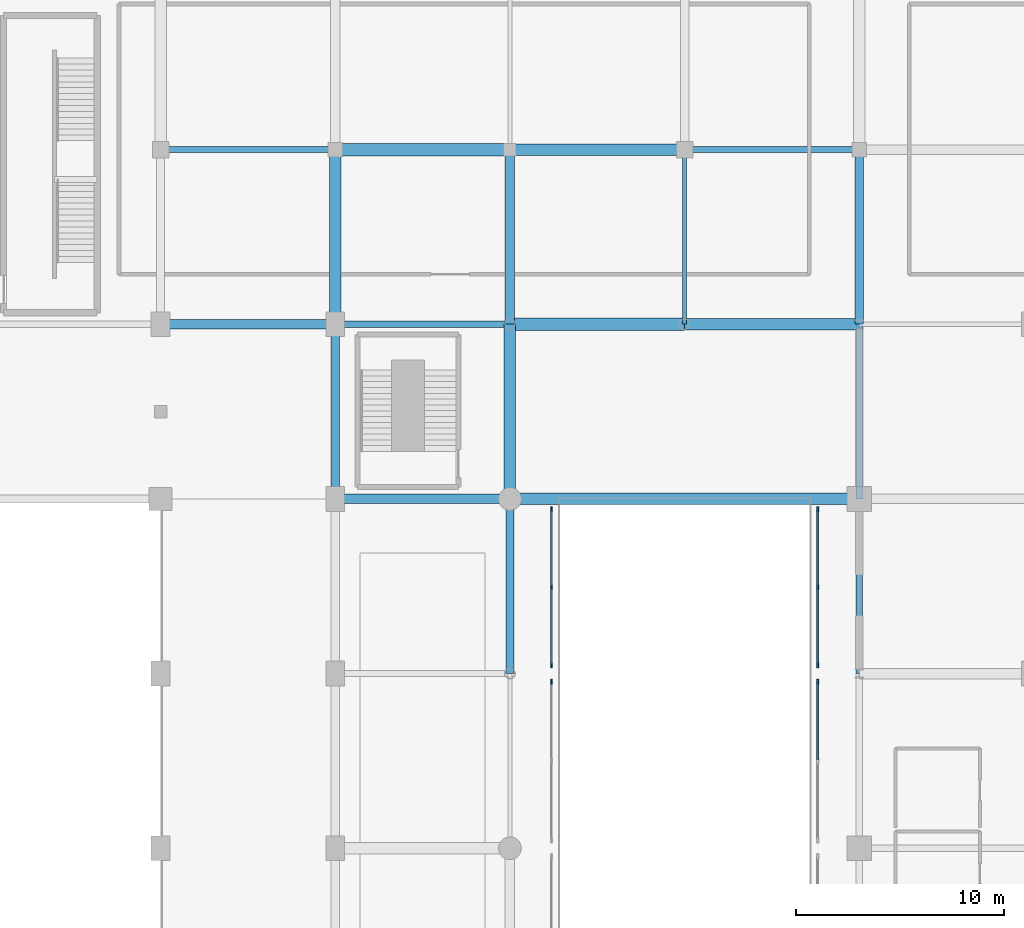
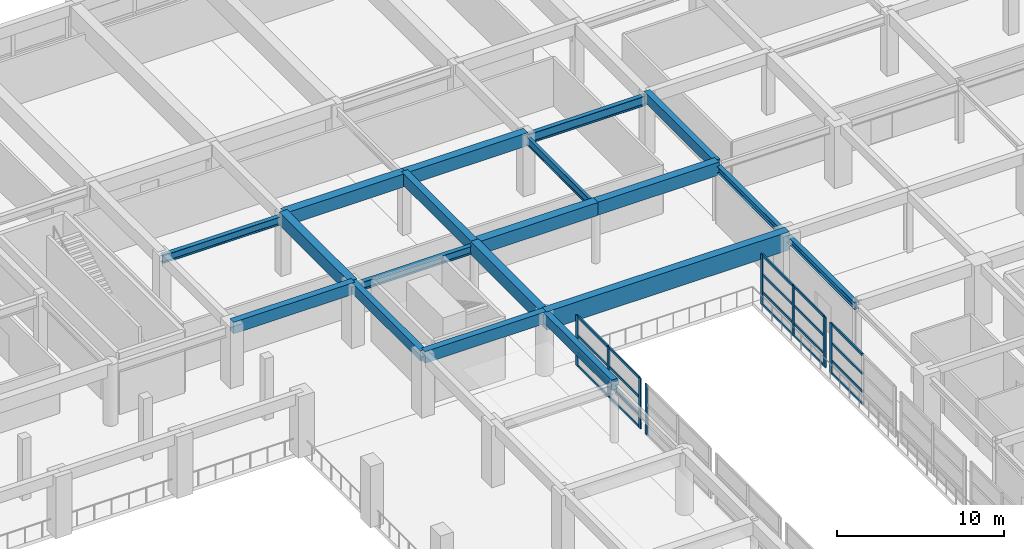
# One storey, part 28 of 65: 28 members, 19 beams, 4 elements without a shape of their own.
"""IFC4 building model written with IfcOpenShell, lengths in metres."""

import ifcopenshell
import ifcopenshell.guid

model = None  # the IFC model being written
_history = None  # IfcOwnerHistory: only IFC2X3 demands one
_inside = {}  # id of a spatial element -> (the spatial element, [elements in it])
_under = {}  # id of a project, library or spatial element -> (it, [spatial elements below it])
_declared = {}  # id of a project -> (the project, [libraries it declares])
_typed = {}  # id of a type object -> (the type object, [elements of that type])
_made_of = {}  # id of a material, layer set ... -> (it, [elements and type objects made of it])


def new_model(schema):
    """Start an empty IFC model of exactly this schema.

    Asked for "IFC4X3", IfcOpenShell would pick the latest addendum, in which some entities
    have other attributes; the version numbers below select the first issue.
    IFC2X3 requires an IfcOwnerHistory on every rooted entity: one is made here for all.
    """
    global model, _history
    if schema == "IFC4X3":
        model = ifcopenshell.file(schema_version=(4, 3, 0, 0))
    else:
        model = ifcopenshell.file(schema=schema)
    _inside.clear()
    _under.clear()
    _declared.clear()
    _typed.clear()
    _made_of.clear()
    _history = None
    if model.schema == "IFC2X3":
        org = make("IfcOrganization", Name="unknown")
        user = make(
            "IfcPersonAndOrganization",
            ThePerson=make("IfcPerson", FamilyName="unknown"),
            TheOrganization=org,
        )
        app = make(
            "IfcApplication",
            ApplicationDeveloper=org,
            Version="unknown",
            ApplicationFullName="unknown",
            ApplicationIdentifier="unknown",
        )
        _history = make(
            "IfcOwnerHistory",
            OwningUser=user,
            OwningApplication=app,
            ChangeAction="ADDED",
            CreationDate=0,
        )
    return model


def make(cls, **values):
    """One entity of the class cls with the attributes given. An attribute that is None is left unset."""
    return model.create_entity(
        cls, **{name: value for name, value in values.items() if value is not None}
    )


def rooted(cls, **values):
    """An entity with a GlobalId (a new one), such as an element, a storey or a relation."""
    return make(cls, GlobalId=ifcopenshell.guid.new(), OwnerHistory=_history, **values)


def si_unit(unit_type, name, prefix=None):
    """IfcSIUnit, for example si_unit("LENGTHUNIT", "METRE", prefix="MILLI")."""
    return make("IfcSIUnit", UnitType=unit_type, Prefix=prefix, Name=name)


def assignment(units):
    """IfcUnitAssignment: the units of a project."""
    return None if units is None else make("IfcUnitAssignment", Units=units)


def point(xyz):
    """IfcCartesianPoint."""
    return None if xyz is None else make("IfcCartesianPoint", Coordinates=xyz)


def direction(xyz):
    """IfcDirection."""
    return None if xyz is None else make("IfcDirection", DirectionRatios=xyz)


def frame(location, z_axis=None, x_axis=None):
    """IfcAxis2Placement3D, a coordinate frame: its origin and axes. An axis left out is left unset."""
    return make(
        "IfcAxis2Placement3D",
        Location=point(location),
        Axis=direction(z_axis),
        RefDirection=direction(x_axis),
    )


def frame_2d(location, x_axis=None):
    """IfcAxis2Placement2D, a coordinate frame in the plane: its origin and x axis."""
    return make(
        "IfcAxis2Placement2D", Location=point(location), RefDirection=direction(x_axis)
    )


def origin():
    """The frame at (0, 0, 0) with its axes left unset."""
    return frame((0.0, 0.0, 0.0))


def origin_2d():
    """The frame at (0, 0) in the plane with its x axis left unset."""
    return frame_2d((0.0, 0.0))


def place(relative_to, where):
    """IfcLocalPlacement: puts the frame where relative to a parent placement (None: the world)."""
    return make(
        "IfcLocalPlacement", PlacementRelTo=relative_to, RelativePlacement=where
    )


def context(
    kind, dimensions, precision=None, world=None, true_north=None, identifier=None
):
    """IfcGeometricRepresentationContext, for example the 3D "Model" context."""
    return make(
        "IfcGeometricRepresentationContext",
        ContextIdentifier=identifier,
        ContextType=kind,
        CoordinateSpaceDimension=dimensions,
        Precision=precision,
        WorldCoordinateSystem=world,
        TrueNorth=true_north,
    )


def subcontext(parent, identifier, kind, view, scale=None):
    """IfcGeometricRepresentationSubContext, for example "Body" below "Model"."""
    return make(
        "IfcGeometricRepresentationSubContext",
        ContextIdentifier=identifier,
        ContextType=kind,
        ParentContext=parent,
        TargetScale=scale,
        TargetView=view,
    )


def project(units=None, contexts=None):
    """IfcProject with its units and contexts."""
    return rooted(
        "IfcProject",
        Name="project",
        RepresentationContexts=contexts,
        UnitsInContext=assignment(units),
    )


def spatial(cls, under=None, at=None, **own):
    """A site, building, storey or space (cls), placed at a placement, below another one or the project."""
    s = rooted(cls, ObjectPlacement=at, **own)
    if under is not None:
        _under.setdefault(under.id(), (under, []))[1].append(s)
    return s


def profile(cls, at=None, kind="AREA", **sizes):
    """A parametric profile (cls). Its sizes go by their IFC names, for example OverallWidth=200.0."""
    return make(cls, ProfileType=kind, Position=at, **sizes)


def rectangle(**sizes):
    """IfcRectangleProfileDef."""
    return profile("IfcRectangleProfileDef", **sizes)


def i_section(**sizes):
    """IfcIShapeProfileDef."""
    return profile("IfcIShapeProfileDef", **sizes)


def extrude(swept, where, along, depth):
    """IfcExtrudedAreaSolid: the profile swept, set in the frame where, extruded along a direction by depth."""
    return make(
        "IfcExtrudedAreaSolid",
        SweptArea=swept,
        Position=where,
        ExtrudedDirection=direction(along),
        Depth=depth,
    )


def shape(context_of_items, identifier, shape_type, items):
    """IfcShapeRepresentation: the items that make up one representation, for example the "Body"."""
    return make(
        "IfcShapeRepresentation",
        ContextOfItems=context_of_items,
        RepresentationIdentifier=identifier,
        RepresentationType=shape_type,
        Items=items,
    )


def material(Name=None, Category=None):
    """IfcMaterial."""
    return make("IfcMaterial", Name=Name, Category=Category)


def material_profile(
    of_material, cross_section, Name=None, Category=None, Priority=None
):
    """IfcMaterialProfile: a cross section and its material."""
    return make(
        "IfcMaterialProfile",
        Name=Name,
        Material=of_material,
        Profile=cross_section,
        Priority=Priority,
        Category=Category,
    )


def profile_set(profiles, Name=None, composite=None):
    """IfcMaterialProfileSet."""
    return make(
        "IfcMaterialProfileSet",
        Name=Name,
        MaterialProfiles=profiles,
        CompositeProfile=composite,
    )


def made_of(thing, what):
    """Note that an element or type object is made of a material, layer set ...; save() writes the relation."""
    if what is not None:
        _made_of.setdefault(what.id(), (what, []))[1].append(thing)
    return thing


def type_object(cls, material=None, **own):
    """A type object (cls), such as IfcWallType, which elements share."""
    return made_of(rooted(cls, **own), material)


def element(
    cls,
    number,
    at=None,
    inside=None,
    cuts=None,
    type_object=None,
    material=None,
    context=None,
    identifier="Body",
    shape_type=None,
    held_by="IfcProductDefinitionShape",
    body=None,
    shapes=None,
    **own,
):
    """One element of the class cls, such as IfcWall. Its Tag is "e" and its number.

    at: its placement. inside: the storey or other place that contains it. cuts: it is an
    opening in that element (IfcRelVoidsElement). A single representation is given by context,
    identifier, shape_type and body (its items); several are given by shapes. held_by: the class
    of the entity that holds the representations. save() writes the other relations.
    """
    e = rooted(cls, Tag="e%d" % number, ObjectPlacement=at, **own)
    if body is not None:
        shapes = [shape(context, identifier, shape_type, body)]
    if shapes is not None:
        e.Representation = make(held_by, Representations=shapes)
    if inside is not None:
        _inside.setdefault(inside.id(), (inside, []))[1].append(e)
    if cuts is not None:
        rooted(
            "IfcRelVoidsElement", RelatingBuildingElement=cuts, RelatedOpeningElement=e
        )
    if type_object is not None:
        _typed.setdefault(type_object.id(), (type_object, []))[1].append(e)
    return made_of(e, material)


def aggregate(whole, parts):
    """IfcRelAggregates: a whole, such as a stair, and the parts it consists of."""
    return rooted("IfcRelAggregates", RelatingObject=whole, RelatedObjects=parts)


def save(model, path):
    """Write the relations noted so far, then the file.

    IfcRelAggregates (storeys below a building ...), IfcRelContainedInSpatialStructure (elements
    in a storey), IfcRelDefinesByType, IfcRelAssociatesMaterial and IfcRelDeclares: one each for
    every whole, place, type object, material and project.
    """
    for whole, parts in _under.values():
        aggregate(whole, parts)
    for where, things in _inside.values():
        rooted(
            "IfcRelContainedInSpatialStructure",
            RelatedElements=things,
            RelatingStructure=where,
        )
    for kind, things in _typed.values():
        rooted("IfcRelDefinesByType", RelatedObjects=things, RelatingType=kind)
    for what, things in _made_of.values():
        rooted("IfcRelAssociatesMaterial", RelatedObjects=things, RelatingMaterial=what)
    for by, libraries in _declared.values():
        rooted("IfcRelDeclares", RelatingContext=by, RelatedDefinitions=libraries)
    model.write(path)


model = new_model("IFC4")

# Units and contexts
model_context = context("Model", 3, precision=1e-05, world=origin(), true_north=direction((0.0, 1.0)))
body_context = subcontext(model_context, "Body", "Model", "MODEL_VIEW")
ifc_project = project(units=[si_unit("LENGTHUNIT", "METRE"), si_unit("AREAUNIT", "SQUARE_METRE"), si_unit("VOLUMEUNIT", "CUBIC_METRE"), si_unit("PLANEANGLEUNIT", "RADIAN"), si_unit("MASSUNIT", "GRAM", prefix="KILO")], contexts=[model_context])

# Site, building, storey
site_placement = place(None, origin())
site = spatial("IfcSite", under=ifc_project, at=site_placement, CompositionType="ELEMENT")
building_placement = place(site_placement, origin())
building = spatial("IfcBuilding", under=site, at=building_placement, Name="Xuanlan Plaza Opera House", CompositionType="ELEMENT")
storey_placement = place(building_placement, frame((0.0, 0.0, 5.39990234375)))
storey = spatial("IfcBuildingStorey", under=building, at=storey_placement, Name="L01", CompositionType="ELEMENT", Elevation=5.39990234375)

# Curtain wall, member
ifc_material_1 = material(Name="Anodised Aluminium 6063-T6 and Low-E Glass", Category="aluminium")
curtain_wall_type = type_object("IfcCurtainWallType", Name="ENV-CW-CW-06", PredefinedType="USERDEFINED", material=ifc_material_1)
curtain_wall_1_placement = place(storey_placement, origin())
curtain_wall_1 = element("IfcCurtainWall", 1, at=curtain_wall_1_placement, inside=storey, type_object=curtain_wall_type, Name="Acoustic Glazed Wall ATR-L01-13", ObjectType="ACOUSTIC GLAZED WALL", PredefinedType="USERDEFINED")
ifc_material_2 = material(Name="Anodised Aluminium 6063-T6", Category="aluminium")
ifc_material_profile_1 = material_profile(ifc_material_2, rectangle(XDim=0.090087890625, YDim=0.25, at=origin_2d()), Name="ALU-M 90x250")
ifc_profile_set_1 = profile_set([ifc_material_profile_1], Name="Anodised Aluminium 6063-T6")
member_type_1 = type_object("IfcMemberType", Name="ENV-CWM-05", PredefinedType="MULLION", material=ifc_profile_set_1)
member_1_placement = place(storey_placement, frame((111.199951171875, 66.804931640625, 0.0), z_axis=(0.0, 0.0, 1.0), x_axis=(-1.0, 0.0, 0.0)))
member_1 = element("IfcMember", 2, at=member_1_placement, type_object=member_type_1, Name="CW-06 mullion 3", PredefinedType="MULLION", context=body_context, shape_type="SweptSolid", body=[
    extrude(rectangle(XDim=0.090087890625, YDim=0.25, at=origin_2d()), origin(), (0.0, 0.0, 1.0), 3.68017578125),
])
aggregate(curtain_wall_1, [member_1])

# Curtain wall, members
curtain_wall_2_placement = place(storey_placement, origin())
curtain_wall_2 = element("IfcCurtainWall", 3, at=curtain_wall_2_placement, inside=storey, type_object=curtain_wall_type, Name="Acoustic Glazed Wall ATR-L01-14", ObjectType="ACOUSTIC GLAZED WALL", PredefinedType="USERDEFINED")
member_2_placement = place(storey_placement, frame((111.199951171875, 67.594970703125, 0.0), z_axis=(0.0, 0.0, 1.0), x_axis=(-1.0, 0.0, 0.0)))
member_2 = element("IfcMember", 4, at=member_2_placement, type_object=member_type_1, Name="CW-06 mullion 1", PredefinedType="MULLION", context=body_context, shape_type="SweptSolid", body=[
    extrude(rectangle(XDim=0.090087890625, YDim=0.25, at=origin_2d()), origin(), (0.0, 0.0, 1.0), 3.68017578125),
])
member_3_placement = place(storey_placement, frame((111.199951171875, 71.35009765625, 0.0), z_axis=(0.0, 0.0, 1.0), x_axis=(-1.0, 0.0, 0.0)))
member_3 = element("IfcMember", 5, at=member_3_placement, type_object=member_type_1, Name="CW-06 mullion 2", PredefinedType="MULLION", context=body_context, shape_type="SweptSolid", body=[
    extrude(rectangle(XDim=0.090087890625, YDim=0.25, at=origin_2d()), origin(), (0.0, 0.0, 1.0), 3.68017578125),
])
member_4_placement = place(storey_placement, frame((111.199951171875, 75.10498046875, 0.0), z_axis=(0.0, 0.0, 1.0), x_axis=(-1.0, 0.0, 0.0)))
member_4 = element("IfcMember", 6, at=member_4_placement, type_object=member_type_1, Name="CW-06 mullion 3", PredefinedType="MULLION", context=body_context, shape_type="SweptSolid", body=[
    extrude(rectangle(XDim=0.090087890625, YDim=0.25, at=origin_2d()), origin(), (0.0, 0.0, 1.0), 3.68017578125),
])

# Curtain wall, member
curtain_wall_3_placement = place(storey_placement, origin())
curtain_wall_3 = element("IfcCurtainWall", 7, at=curtain_wall_3_placement, inside=storey, type_object=curtain_wall_type, Name="Acoustic Glazed Wall ATR-L01-23", ObjectType="ACOUSTIC GLAZED WALL", PredefinedType="USERDEFINED")
member_5_placement = place(storey_placement, frame((124.0, 66.804931640625, 0.0), z_axis=(0.0, 0.0, 1.0), x_axis=(-1.0, 0.0, 0.0)))
member_5 = element("IfcMember", 8, at=member_5_placement, type_object=member_type_1, Name="CW-06 mullion 3", PredefinedType="MULLION", context=body_context, shape_type="SweptSolid", body=[
    extrude(rectangle(XDim=0.090087890625, YDim=0.25, at=origin_2d()), origin(), (0.0, 0.0, 1.0), 3.68017578125),
])

# Curtain wall, members
curtain_wall_4_placement = place(storey_placement, origin())
curtain_wall_4 = element("IfcCurtainWall", 9, at=curtain_wall_4_placement, inside=storey, type_object=curtain_wall_type, Name="Acoustic Glazed Wall ATR-L01-24", ObjectType="ACOUSTIC GLAZED WALL", PredefinedType="USERDEFINED")
member_6_placement = place(storey_placement, frame((124.0, 67.594970703125, 0.0), z_axis=(0.0, 0.0, 1.0), x_axis=(-1.0, 0.0, 0.0)))
member_6 = element("IfcMember", 10, at=member_6_placement, type_object=member_type_1, Name="CW-06 mullion 1", PredefinedType="MULLION", context=body_context, shape_type="SweptSolid", body=[
    extrude(rectangle(XDim=0.090087890625, YDim=0.25, at=origin_2d()), origin(), (0.0, 0.0, 1.0), 3.68017578125),
])
member_7_placement = place(storey_placement, frame((124.0, 71.35009765625, 0.0), z_axis=(0.0, 0.0, 1.0), x_axis=(-1.0, 0.0, 0.0)))
member_7 = element("IfcMember", 11, at=member_7_placement, type_object=member_type_1, Name="CW-06 mullion 2", PredefinedType="MULLION", context=body_context, shape_type="SweptSolid", body=[
    extrude(rectangle(XDim=0.090087890625, YDim=0.25, at=origin_2d()), origin(), (0.0, 0.0, 1.0), 3.68017578125),
])
member_8_placement = place(storey_placement, frame((124.0, 75.10498046875, 0.0), z_axis=(0.0, 0.0, 1.0), x_axis=(-1.0, 0.0, 0.0)))
member_8 = element("IfcMember", 12, at=member_8_placement, type_object=member_type_1, Name="CW-06 mullion 3", PredefinedType="MULLION", context=body_context, shape_type="SweptSolid", body=[
    extrude(rectangle(XDim=0.090087890625, YDim=0.25, at=origin_2d()), origin(), (0.0, 0.0, 1.0), 3.68017578125),
])

# Member
ifc_material_profile_2 = material_profile(ifc_material_2, rectangle(XDim=0.090087890625, YDim=0.179931640625, at=origin_2d()), Name="ALU-T 90x180")
ifc_profile_set_2 = profile_set([ifc_material_profile_2], Name="Anodised Aluminium 6063-T6")
member_type_2 = type_object("IfcMemberType", Name="ENV-CWT-05", PredefinedType="USERDEFINED", material=ifc_profile_set_2)
member_9_placement = place(storey_placement, frame((111.199951171875, 67.639892578125, 0.045166015625), z_axis=(0.0, 1.0, 0.0), x_axis=(-1.0, 0.0, 0.0)))
member_9 = element("IfcMember", 13, at=member_9_placement, type_object=member_type_2, Name="CW-06 transom 1.1", ObjectType="TRANSOM", PredefinedType="USERDEFINED", context=body_context, shape_type="SweptSolid", body=[
    extrude(rectangle(XDim=0.090087890625, YDim=0.179931640625, at=origin_2d()), origin(), (0.0, 0.0, 1.0), 3.6650390625),
])

member_10_placement = place(storey_placement, frame((111.199951171875, 67.639892578125, 0.9501953125), z_axis=(0.0, 1.0, 0.0), x_axis=(-1.0, 0.0, 0.0)))
member_10 = element("IfcMember", 14, at=member_10_placement, type_object=member_type_2, Name="CW-06 transom 1.2", ObjectType="TRANSOM", PredefinedType="USERDEFINED", context=body_context, shape_type="SweptSolid", body=[
    extrude(rectangle(XDim=0.090087890625, YDim=0.179931640625, at=origin_2d()), origin(), (0.0, 0.0, 1.0), 3.6650390625),
])

member_11_placement = place(storey_placement, frame((111.199951171875, 67.639892578125, 2.25), z_axis=(0.0, 1.0, 0.0), x_axis=(-1.0, 0.0, 0.0)))
member_11 = element("IfcMember", 15, at=member_11_placement, type_object=member_type_2, Name="CW-06 transom 1.3", ObjectType="TRANSOM", PredefinedType="USERDEFINED", context=body_context, shape_type="SweptSolid", body=[
    extrude(rectangle(XDim=0.090087890625, YDim=0.179931640625, at=origin_2d()), origin(), (0.0, 0.0, 1.0), 3.6650390625),
])

member_12_placement = place(storey_placement, frame((111.199951171875, 67.639892578125, 3.635009765625), z_axis=(0.0, 1.0, 0.0), x_axis=(-1.0, 0.0, 0.0)))
member_12 = element("IfcMember", 16, at=member_12_placement, type_object=member_type_2, Name="CW-06 transom 1.4", ObjectType="TRANSOM", PredefinedType="USERDEFINED", context=body_context, shape_type="SweptSolid", body=[
    extrude(rectangle(XDim=0.090087890625, YDim=0.179931640625, at=origin_2d()), origin(), (0.0, 0.0, 1.0), 3.6650390625),
])

member_13_placement = place(storey_placement, frame((111.199951171875, 71.39501953125, 0.045166015625), z_axis=(0.0, 1.0, 0.0), x_axis=(-1.0, 0.0, 0.0)))
member_13 = element("IfcMember", 17, at=member_13_placement, type_object=member_type_2, Name="CW-06 transom 2.1", ObjectType="TRANSOM", PredefinedType="USERDEFINED", context=body_context, shape_type="SweptSolid", body=[
    extrude(rectangle(XDim=0.090087890625, YDim=0.179931640625, at=origin_2d()), origin(), (0.0, 0.0, 1.0), 3.6650390625),
])

member_14_placement = place(storey_placement, frame((111.199951171875, 71.39501953125, 0.9501953125), z_axis=(0.0, 1.0, 0.0), x_axis=(-1.0, 0.0, 0.0)))
member_14 = element("IfcMember", 18, at=member_14_placement, type_object=member_type_2, Name="CW-06 transom 2.2", ObjectType="TRANSOM", PredefinedType="USERDEFINED", context=body_context, shape_type="SweptSolid", body=[
    extrude(rectangle(XDim=0.090087890625, YDim=0.179931640625, at=origin_2d()), origin(), (0.0, 0.0, 1.0), 3.6650390625),
])

member_15_placement = place(storey_placement, frame((111.199951171875, 71.39501953125, 2.25), z_axis=(0.0, 1.0, 0.0), x_axis=(-1.0, 0.0, 0.0)))
member_15 = element("IfcMember", 19, at=member_15_placement, type_object=member_type_2, Name="CW-06 transom 2.3", ObjectType="TRANSOM", PredefinedType="USERDEFINED", context=body_context, shape_type="SweptSolid", body=[
    extrude(rectangle(XDim=0.090087890625, YDim=0.179931640625, at=origin_2d()), origin(), (0.0, 0.0, 1.0), 3.6650390625),
])

member_16_placement = place(storey_placement, frame((111.199951171875, 71.39501953125, 3.635009765625), z_axis=(0.0, 1.0, 0.0), x_axis=(-1.0, 0.0, 0.0)))
member_16 = element("IfcMember", 20, at=member_16_placement, type_object=member_type_2, Name="CW-06 transom 2.4", ObjectType="TRANSOM", PredefinedType="USERDEFINED", context=body_context, shape_type="SweptSolid", body=[
    extrude(rectangle(XDim=0.090087890625, YDim=0.179931640625, at=origin_2d()), origin(), (0.0, 0.0, 1.0), 3.6650390625),
])

aggregate(curtain_wall_2, [member_2, member_3, member_4, member_9, member_10, member_11, member_12, member_13, member_14, member_15, member_16])

member_17_placement = place(storey_placement, frame((124.0, 63.044921875, 0.045166015625), z_axis=(0.0, 1.0, 0.0), x_axis=(-1.0, 0.0, 0.0)))
member_17 = element("IfcMember", 21, at=member_17_placement, type_object=member_type_2, Name="CW-06 transom 2.1", ObjectType="TRANSOM", PredefinedType="USERDEFINED", context=body_context, shape_type="SweptSolid", body=[
    extrude(rectangle(XDim=0.090087890625, YDim=0.179931640625, at=origin_2d()), origin(), (0.0, 0.0, 1.0), 3.715087890625),
])

member_18_placement = place(storey_placement, frame((124.0, 63.044921875, 0.9501953125), z_axis=(0.0, 1.0, 0.0), x_axis=(-1.0, 0.0, 0.0)))
member_18 = element("IfcMember", 22, at=member_18_placement, type_object=member_type_2, Name="CW-06 transom 2.2", ObjectType="TRANSOM", PredefinedType="USERDEFINED", context=body_context, shape_type="SweptSolid", body=[
    extrude(rectangle(XDim=0.090087890625, YDim=0.179931640625, at=origin_2d()), origin(), (0.0, 0.0, 1.0), 3.715087890625),
])

member_19_placement = place(storey_placement, frame((124.0, 63.044921875, 2.25), z_axis=(0.0, 1.0, 0.0), x_axis=(-1.0, 0.0, 0.0)))
member_19 = element("IfcMember", 23, at=member_19_placement, type_object=member_type_2, Name="CW-06 transom 2.3", ObjectType="TRANSOM", PredefinedType="USERDEFINED", context=body_context, shape_type="SweptSolid", body=[
    extrude(rectangle(XDim=0.090087890625, YDim=0.179931640625, at=origin_2d()), origin(), (0.0, 0.0, 1.0), 3.715087890625),
])

member_20_placement = place(storey_placement, frame((124.0, 63.044921875, 3.635009765625), z_axis=(0.0, 1.0, 0.0), x_axis=(-1.0, 0.0, 0.0)))
member_20 = element("IfcMember", 24, at=member_20_placement, type_object=member_type_2, Name="CW-06 transom 2.4", ObjectType="TRANSOM", PredefinedType="USERDEFINED", context=body_context, shape_type="SweptSolid", body=[
    extrude(rectangle(XDim=0.090087890625, YDim=0.179931640625, at=origin_2d()), origin(), (0.0, 0.0, 1.0), 3.715087890625),
])

aggregate(curtain_wall_3, [member_5, member_17, member_18, member_19, member_20])

member_21_placement = place(storey_placement, frame((124.0, 67.639892578125, 0.045166015625), z_axis=(0.0, 1.0, 0.0), x_axis=(-1.0, 0.0, 0.0)))
member_21 = element("IfcMember", 25, at=member_21_placement, type_object=member_type_2, Name="CW-06 transom 1.1", ObjectType="TRANSOM", PredefinedType="USERDEFINED", context=body_context, shape_type="SweptSolid", body=[
    extrude(rectangle(XDim=0.090087890625, YDim=0.179931640625, at=origin_2d()), origin(), (0.0, 0.0, 1.0), 3.6650390625),
])

member_22_placement = place(storey_placement, frame((124.0, 67.639892578125, 0.9501953125), z_axis=(0.0, 1.0, 0.0), x_axis=(-1.0, 0.0, 0.0)))
member_22 = element("IfcMember", 26, at=member_22_placement, type_object=member_type_2, Name="CW-06 transom 1.2", ObjectType="TRANSOM", PredefinedType="USERDEFINED", context=body_context, shape_type="SweptSolid", body=[
    extrude(rectangle(XDim=0.090087890625, YDim=0.179931640625, at=origin_2d()), origin(), (0.0, 0.0, 1.0), 3.6650390625),
])

member_23_placement = place(storey_placement, frame((124.0, 67.639892578125, 2.25), z_axis=(0.0, 1.0, 0.0), x_axis=(-1.0, 0.0, 0.0)))
member_23 = element("IfcMember", 27, at=member_23_placement, type_object=member_type_2, Name="CW-06 transom 1.3", ObjectType="TRANSOM", PredefinedType="USERDEFINED", context=body_context, shape_type="SweptSolid", body=[
    extrude(rectangle(XDim=0.090087890625, YDim=0.179931640625, at=origin_2d()), origin(), (0.0, 0.0, 1.0), 3.6650390625),
])

member_24_placement = place(storey_placement, frame((124.0, 67.639892578125, 3.635009765625), z_axis=(0.0, 1.0, 0.0), x_axis=(-1.0, 0.0, 0.0)))
member_24 = element("IfcMember", 28, at=member_24_placement, type_object=member_type_2, Name="CW-06 transom 1.4", ObjectType="TRANSOM", PredefinedType="USERDEFINED", context=body_context, shape_type="SweptSolid", body=[
    extrude(rectangle(XDim=0.090087890625, YDim=0.179931640625, at=origin_2d()), origin(), (0.0, 0.0, 1.0), 3.6650390625),
])

member_25_placement = place(storey_placement, frame((124.0, 71.39501953125, 0.045166015625), z_axis=(0.0, 1.0, 0.0), x_axis=(-1.0, 0.0, 0.0)))
member_25 = element("IfcMember", 29, at=member_25_placement, type_object=member_type_2, Name="CW-06 transom 2.1", ObjectType="TRANSOM", PredefinedType="USERDEFINED", context=body_context, shape_type="SweptSolid", body=[
    extrude(rectangle(XDim=0.090087890625, YDim=0.179931640625, at=origin_2d()), origin(), (0.0, 0.0, 1.0), 3.6650390625),
])

member_26_placement = place(storey_placement, frame((124.0, 71.39501953125, 0.9501953125), z_axis=(0.0, 1.0, 0.0), x_axis=(-1.0, 0.0, 0.0)))
member_26 = element("IfcMember", 30, at=member_26_placement, type_object=member_type_2, Name="CW-06 transom 2.2", ObjectType="TRANSOM", PredefinedType="USERDEFINED", context=body_context, shape_type="SweptSolid", body=[
    extrude(rectangle(XDim=0.090087890625, YDim=0.179931640625, at=origin_2d()), origin(), (0.0, 0.0, 1.0), 3.6650390625),
])

member_27_placement = place(storey_placement, frame((124.0, 71.39501953125, 2.25), z_axis=(0.0, 1.0, 0.0), x_axis=(-1.0, 0.0, 0.0)))
member_27 = element("IfcMember", 31, at=member_27_placement, type_object=member_type_2, Name="CW-06 transom 2.3", ObjectType="TRANSOM", PredefinedType="USERDEFINED", context=body_context, shape_type="SweptSolid", body=[
    extrude(rectangle(XDim=0.090087890625, YDim=0.179931640625, at=origin_2d()), origin(), (0.0, 0.0, 1.0), 3.6650390625),
])

member_28_placement = place(storey_placement, frame((124.0, 71.39501953125, 3.635009765625), z_axis=(0.0, 1.0, 0.0), x_axis=(-1.0, 0.0, 0.0)))
member_28 = element("IfcMember", 32, at=member_28_placement, type_object=member_type_2, Name="CW-06 transom 2.4", ObjectType="TRANSOM", PredefinedType="USERDEFINED", context=body_context, shape_type="SweptSolid", body=[
    extrude(rectangle(XDim=0.090087890625, YDim=0.179931640625, at=origin_2d()), origin(), (0.0, 0.0, 1.0), 3.6650390625),
])

aggregate(curtain_wall_4, [member_6, member_7, member_8, member_21, member_22, member_23, member_24, member_25, member_26, member_27, member_28])

# Beams
ifc_material_3 = material(Name="Concrete C50", Category="concrete")
ifc_material_profile_3 = material_profile(ifc_material_3, rectangle(XDim=0.60009765625, YDim=0.949951171875, at=origin_2d()), Name="RC-BM 600x950")
ifc_profile_set_3 = profile_set([ifc_material_profile_3], Name="Concrete C50")
beam_type_1 = type_object("IfcBeamType", Name="STR-BM-B-01", PredefinedType="BEAM", material=ifc_profile_set_3)
beam_1_placement = place(storey_placement, frame((109.199951171875, 84.0, 4.025146484375), z_axis=(1.0, 0.0, 0.0), x_axis=(0.0, 1.0, 0.0)))
element("IfcBeam", 33, at=beam_1_placement, inside=storey, type_object=beam_type_1, Name="Grid Beam X L01 14-15/K", PredefinedType="BEAM", context=body_context, shape_type="SweptSolid", body=[
    extrude(rectangle(XDim=0.60009765625, YDim=0.949951171875, at=origin_2d()), origin(), (0.0, 0.0, 1.0), 8.400146484375),
])
beam_2_placement = place(storey_placement, frame((100.800048828125, 92.39990234375, 4.025146484375), z_axis=(1.0, 0.0, 0.0), x_axis=(0.0, 1.0, 0.0)))
element("IfcBeam", 34, at=beam_2_placement, inside=storey, type_object=beam_type_1, Name="Grid Beam X L01 13-14/L", PredefinedType="BEAM", context=body_context, shape_type="SweptSolid", body=[
    extrude(rectangle(XDim=0.60009765625, YDim=0.949951171875, at=origin_2d()), origin(), (0.0, 0.0, 1.0), 8.39990234375),
])
ifc_material_profile_4 = material_profile(ifc_material_3, rectangle(XDim=0.550048828125, YDim=0.949951171875, at=origin_2d()), Name="RC-BM 550x950")
ifc_profile_set_4 = profile_set([ifc_material_profile_4], Name="Concrete C50")
beam_type_2 = type_object("IfcBeamType", Name="STR-BM-B-02", PredefinedType="BEAM", material=ifc_profile_set_4)
beam_3_placement = place(storey_placement, frame((117.60009765625, 84.0, 4.025146484375), z_axis=(1.0, 0.0, 0.0), x_axis=(0.0, 1.0, 0.0)))
element("IfcBeam", 35, at=beam_3_placement, inside=storey, type_object=beam_type_2, Name="Grid Beam X L01 15-16/K", PredefinedType="BEAM", context=body_context, shape_type="SweptSolid", body=[
    extrude(rectangle(XDim=0.550048828125, YDim=0.949951171875, at=origin_2d()), origin(), (0.0, 0.0, 1.0), 8.39990234375),
])
beam_4_placement = place(storey_placement, frame((109.199951171875, 92.39990234375, 4.025146484375), z_axis=(1.0, 0.0, 0.0), x_axis=(0.0, 1.0, 0.0)))
element("IfcBeam", 36, at=beam_4_placement, inside=storey, type_object=beam_type_2, Name="Grid Beam X L01 14-15/L", PredefinedType="BEAM", context=body_context, shape_type="SweptSolid", body=[
    extrude(rectangle(XDim=0.550048828125, YDim=0.949951171875, at=origin_2d()), origin(), (0.0, 0.0, 1.0), 8.400146484375),
])
for number, where, z_axis, x_axis, name in (
    (37, (100.800048828125, 84.0, 4.025146484375), (0.0, 1.0, 0.0), (-1.0, 0.0, 0.0), "Grid Beam Y L01 13/K-L"),
    (38, (109.199951171875, 75.60009765625, 4.025146484375), (0.0, 1.0, 0.0), (-1.0, 0.0, 0.0), "Grid Beam Y L01 14/J-K"),
):
    element("IfcBeam", number, at=place(storey_placement, frame(where, z_axis=z_axis, x_axis=x_axis)), inside=storey, type_object=beam_type_2, Name=name, PredefinedType="BEAM", context=body_context, shape_type="SweptSolid", body=[
        extrude(rectangle(XDim=0.550048828125, YDim=0.949951171875, at=origin_2d()), origin(), (0.0, 0.0, 1.0), 8.39990234375),
    ])
ifc_material_4 = material(Name="Concrete C40", Category="concrete")
ifc_material_profile_5 = material_profile(ifc_material_4, rectangle(XDim=0.449951171875, YDim=0.85009765625, at=origin_2d()), Name="RC-BM 450x850")
ifc_profile_set_5 = profile_set([ifc_material_profile_5], Name="Concrete C40")
beam_type_3 = type_object("IfcBeamType", Name="STR-BM-B-04", PredefinedType="BEAM", material=ifc_profile_set_5)
beam_5_placement = place(storey_placement, frame((100.800048828125, 75.60009765625, 4.0751953125), z_axis=(1.0, 0.0, 0.0), x_axis=(0.0, 1.0, 0.0)))
element("IfcBeam", 39, at=beam_5_placement, inside=storey, type_object=beam_type_3, Name="Grid Beam X L01 13-14/J", PredefinedType="BEAM", context=body_context, shape_type="SweptSolid", body=[
    extrude(rectangle(XDim=0.449951171875, YDim=0.85009765625, at=origin_2d()), origin(), (0.0, 0.0, 1.0), 8.39990234375),
])
beam_6_placement = place(storey_placement, frame((92.39990234375, 84.0, 4.0751953125), z_axis=(1.0, 0.0, 0.0), x_axis=(0.0, 1.0, 0.0)))
element("IfcBeam", 40, at=beam_6_placement, inside=storey, type_object=beam_type_3, Name="Grid Beam X L01 12-13/K", PredefinedType="BEAM", context=body_context, shape_type="SweptSolid", body=[
    extrude(rectangle(XDim=0.449951171875, YDim=0.85009765625, at=origin_2d()), origin(), (0.0, 0.0, 1.0), 8.400146484375),
])
beam_7_placement = place(storey_placement, frame((109.199951171875, 84.0, 4.0751953125), z_axis=(0.0, 1.0, 0.0), x_axis=(-1.0, 0.0, 0.0)))
element("IfcBeam", 41, at=beam_7_placement, inside=storey, type_object=beam_type_3, Name="Grid Beam Y L01 14/K-L", PredefinedType="BEAM", context=body_context, shape_type="SweptSolid", body=[
    extrude(rectangle(XDim=0.449951171875, YDim=0.85009765625, at=origin_2d()), origin(), (0.0, 0.0, 1.0), 8.39990234375),
])
ifc_material_profile_6 = material_profile(ifc_material_4, rectangle(XDim=0.39990234375, YDim=0.75, at=origin_2d()), Name="RC-BM 400x750")
ifc_profile_set_6 = profile_set([ifc_material_profile_6], Name="Concrete C40")
beam_type_4 = type_object("IfcBeamType", Name="STR-BM-B-06", PredefinedType="BEAM", material=ifc_profile_set_6)
beam_8_placement = place(storey_placement, frame((100.800048828125, 75.60009765625, 4.125), z_axis=(0.0, 1.0, 0.0), x_axis=(-1.0, 0.0, 0.0)))
element("IfcBeam", 42, at=beam_8_placement, inside=storey, type_object=beam_type_4, Name="Grid Beam Y L01 13/J-K", PredefinedType="BEAM", context=body_context, shape_type="SweptSolid", body=[
    extrude(rectangle(XDim=0.39990234375, YDim=0.75, at=origin_2d()), origin(), (0.0, 0.0, 1.0), 8.39990234375),
])
beam_9_placement = place(storey_placement, frame((109.199951171875, 67.199951171875, 4.125), z_axis=(0.0, 1.0, 0.0), x_axis=(-1.0, 0.0, 0.0)))
element("IfcBeam", 43, at=beam_9_placement, inside=storey, type_object=beam_type_4, Name="Grid Beam Y L01 14/I-J", PredefinedType="BEAM", context=body_context, shape_type="SweptSolid", body=[
    extrude(rectangle(XDim=0.39990234375, YDim=0.75, at=origin_2d()), origin(), (0.0, 0.0, 1.0), 8.400146484375),
])
beam_10_placement = place(storey_placement, frame((126.0, 84.0, 4.125), z_axis=(0.0, 1.0, 0.0), x_axis=(-1.0, 0.0, 0.0)))
element("IfcBeam", 44, at=beam_10_placement, inside=storey, type_object=beam_type_4, Name="Grid Beam Y L01 16/K-L", PredefinedType="BEAM", context=body_context, shape_type="SweptSolid", body=[
    extrude(rectangle(XDim=0.39990234375, YDim=0.75, at=origin_2d()), origin(), (0.0, 0.0, 1.0), 8.39990234375),
])
ifc_material_profile_7 = material_profile(ifc_material_3, rectangle(XDim=0.550048828125, YDim=1.35009765625, at=origin_2d()), Name="RC-SPD 550x1350")
ifc_profile_set_7 = profile_set([ifc_material_profile_7], Name="Concrete C50")
beam_type_5 = type_object("IfcBeamType", Name="STR-BM-LG-SP1", PredefinedType="SPANDREL", material=ifc_profile_set_7)
beam_11_placement = place(storey_placement, frame((109.199951171875, 75.60009765625, 3.8251953125), z_axis=(1.0, 0.0, 0.0), x_axis=(0.0, 1.0, 0.0)))
element("IfcBeam", 45, at=beam_11_placement, inside=storey, type_object=beam_type_5, Name="Grid Beam X L01 14-16/J", PredefinedType="SPANDREL", context=body_context, shape_type="SweptSolid", body=[
    extrude(rectangle(XDim=0.550048828125, YDim=1.35009765625, at=origin_2d()), origin(), (0.0, 0.0, 1.0), 16.800048828125),
])
ifc_material_5 = material(Name="Steel Q355B", Category="steel")
ifc_material_profile_8 = material_profile(ifc_material_5, i_section(OverallWidth=0.300048828125, OverallDepth=0.699951171875, WebThickness=0.012939453125, FlangeThickness=0.02392578125, FilletRadius=0.02392578125, at=origin_2d()), Name="HN 700x300x13x24")
ifc_profile_set_8 = profile_set([ifc_material_profile_8], Name="Steel Q355B")
beam_type_6 = type_object("IfcBeamType", Name="STR-BM-SB-03", PredefinedType="BEAM", material=ifc_profile_set_8)
beam_12_placement = place(storey_placement, frame((117.60009765625, 92.39990234375, 3.885009765625), z_axis=(1.0, 0.0, 0.0), x_axis=(0.0, 1.0, 0.0)))
element("IfcBeam", 46, at=beam_12_placement, inside=storey, type_object=beam_type_6, Name="Grid Beam X L01 15-16/L", PredefinedType="BEAM", context=body_context, shape_type="SweptSolid", body=[
    extrude(i_section(OverallWidth=0.300048828125, OverallDepth=0.699951171875, WebThickness=0.012939453125, FlangeThickness=0.02392578125, FilletRadius=0.02392578125, at=origin_2d()), origin(), (0.0, 0.0, 1.0), 8.39990234375),
])
ifc_material_profile_9 = material_profile(ifc_material_5, i_section(OverallWidth=0.199951171875, OverallDepth=0.60009765625, WebThickness=0.010986328125, FlangeThickness=0.01708984375, FilletRadius=0.02197265625, at=origin_2d()), Name="HN 600x200x11x17")
ifc_profile_set_9 = profile_set([ifc_material_profile_9], Name="Steel Q355B")
beam_type_7 = type_object("IfcBeamType", Name="STR-BM-SB-04", PredefinedType="BEAM", material=ifc_profile_set_9)
beam_13_placement = place(storey_placement, frame((117.60009765625, 84.0, 3.93505859375), z_axis=(0.0, 1.0, 0.0), x_axis=(-1.0, 0.0, 0.0)))
element("IfcBeam", 47, at=beam_13_placement, inside=storey, type_object=beam_type_7, Name="Grid Beam Y L01 15/K-L", PredefinedType="BEAM", context=body_context, shape_type="SweptSolid", body=[
    extrude(i_section(OverallWidth=0.199951171875, OverallDepth=0.60009765625, WebThickness=0.010986328125, FlangeThickness=0.01708984375, FilletRadius=0.02197265625, at=origin_2d()), origin(), (0.0, 0.0, 1.0), 8.39990234375),
])
ifc_material_profile_10 = material_profile(ifc_material_5, i_section(OverallWidth=0.300048828125, OverallDepth=0.587890625, WebThickness=0.011962890625, FlangeThickness=0.02001953125, FilletRadius=0.02392578125, at=origin_2d()), Name="HM 588x300x12x20")
ifc_profile_set_10 = profile_set([ifc_material_profile_10], Name="Steel Q355B")
beam_type_8 = type_object("IfcBeamType", Name="STR-BM-SB-06", PredefinedType="BEAM", material=ifc_profile_set_10)
beam_14_placement = place(storey_placement, frame((100.800048828125, 84.0, 3.941162109375), z_axis=(1.0, 0.0, 0.0), x_axis=(0.0, 1.0, 0.0)))
element("IfcBeam", 48, at=beam_14_placement, inside=storey, type_object=beam_type_8, Name="Grid Beam X L01 13-14/K", PredefinedType="BEAM", context=body_context, shape_type="SweptSolid", body=[
    extrude(i_section(OverallWidth=0.300048828125, OverallDepth=0.587890625, WebThickness=0.011962890625, FlangeThickness=0.02001953125, FilletRadius=0.02392578125, at=origin_2d()), origin(), (0.0, 0.0, 1.0), 8.39990234375),
])
beam_15_placement = place(storey_placement, frame((92.39990234375, 92.39990234375, 3.941162109375), z_axis=(1.0, 0.0, 0.0), x_axis=(0.0, 1.0, 0.0)))
element("IfcBeam", 49, at=beam_15_placement, inside=storey, type_object=beam_type_8, Name="Grid Beam X L01 12-13/L", PredefinedType="BEAM", context=body_context, shape_type="SweptSolid", body=[
    extrude(i_section(OverallWidth=0.300048828125, OverallDepth=0.587890625, WebThickness=0.011962890625, FlangeThickness=0.02001953125, FilletRadius=0.02392578125, at=origin_2d()), origin(), (0.0, 0.0, 1.0), 8.400146484375),
])
ifc_material_profile_11 = material_profile(ifc_material_5, i_section(OverallWidth=0.300048828125, OverallDepth=0.488037109375, WebThickness=0.010986328125, FlangeThickness=0.01806640625, FilletRadius=0.02197265625, at=origin_2d()), Name="HM 488x300x11x18")
ifc_profile_set_11 = profile_set([ifc_material_profile_11], Name="Steel Q355B")
beam_type_9 = type_object("IfcBeamType", Name="STR-BM-SB-07", PredefinedType="BEAM", material=ifc_profile_set_11)
beam_16_placement = place(storey_placement, frame((126.0, 67.199951171875, 3.9912109375), z_axis=(0.0, 1.0, 0.0), x_axis=(-1.0, 0.0, 0.0)))
element("IfcBeam", 50, at=beam_16_placement, inside=storey, type_object=beam_type_9, Name="Grid Beam Y L01 16/I-J", PredefinedType="BEAM", context=body_context, shape_type="SweptSolid", body=[
    extrude(i_section(OverallWidth=0.300048828125, OverallDepth=0.488037109375, WebThickness=0.010986328125, FlangeThickness=0.01806640625, FilletRadius=0.02197265625, at=origin_2d()), origin(), (0.0, 0.0, 1.0), 8.400146484375),
])
beam_17_placement = place(storey_placement, frame((126.0, 75.60009765625, 3.9912109375), z_axis=(0.0, 1.0, 0.0), x_axis=(-1.0, 0.0, 0.0)))
element("IfcBeam", 51, at=beam_17_placement, inside=storey, type_object=beam_type_9, Name="Grid Beam Y L01 16/J-K", PredefinedType="BEAM", context=body_context, shape_type="SweptSolid", body=[
    extrude(i_section(OverallWidth=0.300048828125, OverallDepth=0.488037109375, WebThickness=0.010986328125, FlangeThickness=0.01806640625, FilletRadius=0.02197265625, at=origin_2d()), origin(), (0.0, 0.0, 1.0), 8.39990234375),
])

save(model, "model.ifc")
